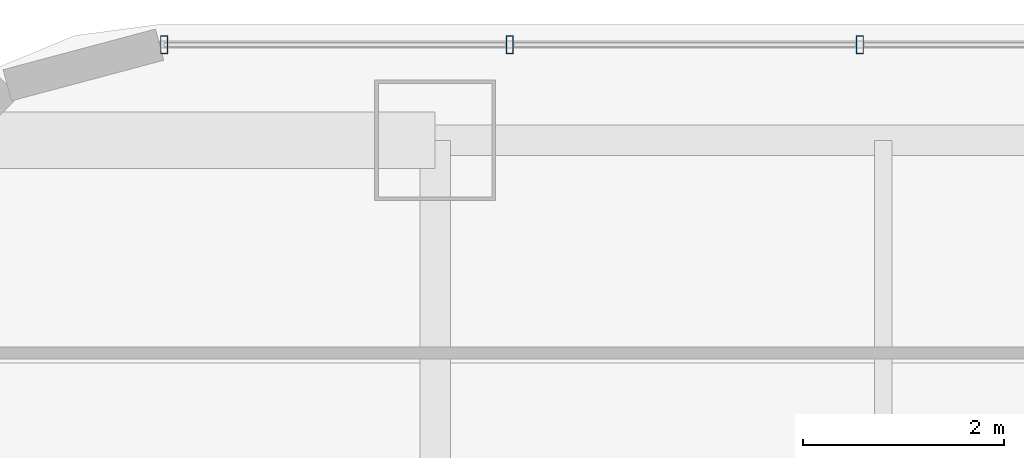
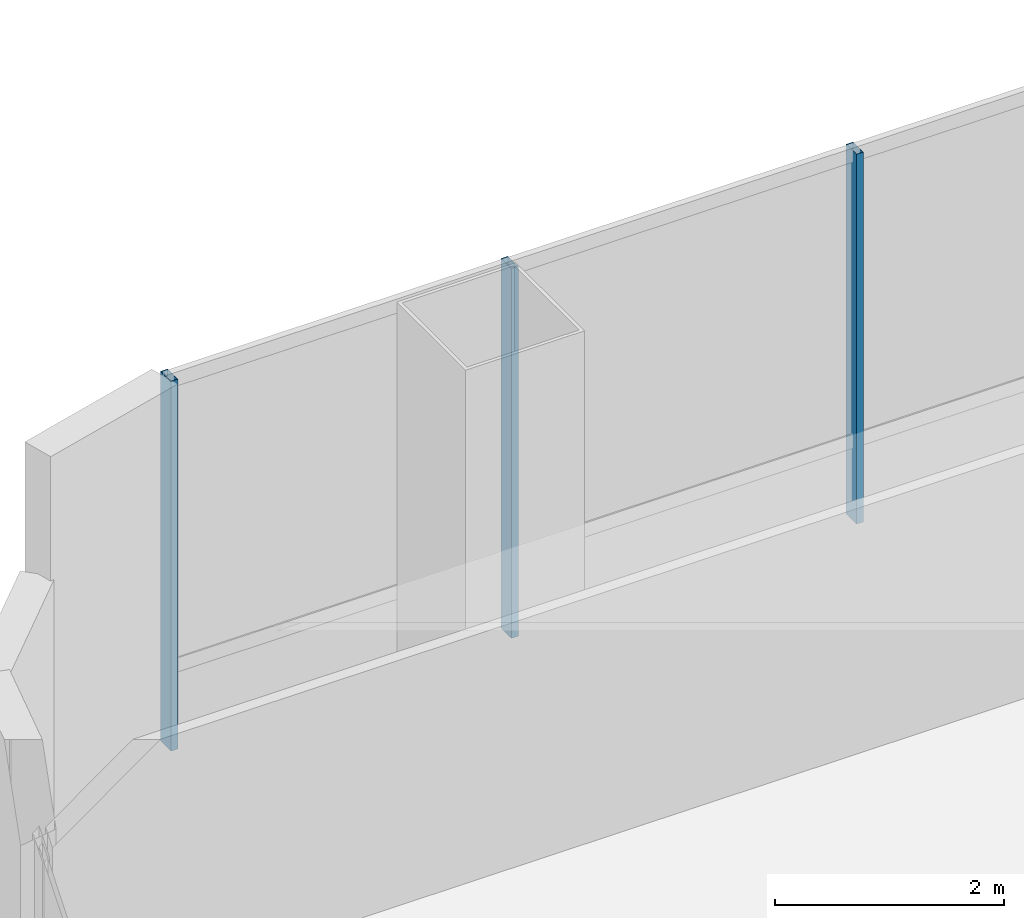
# One storey, part 26 of 46: 3 members, 1 element without a shape of its own.
"""IFC4 building model written with IfcOpenShell, lengths in metres."""

from ifc_helpers import new_model, si_unit, direction, frame, origin, origin_2d, place, context, subcontext, project, spatial, hollow_rectangle, extrude, material, material_profile, profile_set, type_object, element, aggregate, save


model = new_model("IFC4")

# Units and contexts
model_context = context("Model", 3, precision=1e-05, world=origin(), true_north=direction((0.0, 1.0)))
body_context = subcontext(model_context, "Body", "Model", "MODEL_VIEW")
ifc_project = project(units=[si_unit("LENGTHUNIT", "METRE"), si_unit("AREAUNIT", "SQUARE_METRE"), si_unit("VOLUMEUNIT", "CUBIC_METRE"), si_unit("PLANEANGLEUNIT", "RADIAN"), si_unit("MASSUNIT", "GRAM", prefix="KILO")], contexts=[model_context])

# Site, building, storey
site_placement = place(None, origin())
site = spatial("IfcSite", under=ifc_project, at=site_placement, CompositionType="ELEMENT")
building_placement = place(site_placement, origin())
building = spatial("IfcBuilding", under=site, at=building_placement, Name="Punatoya Terracotta Tower", CompositionType="ELEMENT")
storey_placement = place(building_placement, frame((0.0, 0.0, 330.0)))
storey = spatial("IfcBuildingStorey", under=building, at=storey_placement, Name="L78", CompositionType="ELEMENT", Elevation=330.0)

# Curtain wall, members
ifc_material_1 = material(Name="Aluminium 6063-T6 + Double Low-E Glass", Category="aluminium")
curtain_wall_type = type_object("IfcCurtainWallType", Name="CW-OBS", PredefinedType="NOTDEFINED", material=ifc_material_1)
curtain_wall_placement = place(storey_placement, origin())
curtain_wall = element("IfcCurtainWall", 1, at=curtain_wall_placement, inside=storey, type_object=curtain_wall_type, Name="L78 Curtain Wall CW-L78-N09-2", PredefinedType="NOTDEFINED")
ifc_material_2 = material(Name="Aluminium 6063-T6", Category="aluminium")
ifc_material_profile = material_profile(ifc_material_2, hollow_rectangle(XDim=0.070068359375, YDim=0.179931640625, WallThickness=0.00390625, at=origin_2d()))
ifc_profile_set = profile_set([ifc_material_profile], Name="Aluminium 6063-T6")
member_type = type_object("IfcMemberType", Name="CW-MUL-M3", PredefinedType="MULLION", material=ifc_profile_set)
member_1_placement = place(storey_placement, frame((-14.882080078125, 18.449951171875, 0.0), z_axis=(0.0, 0.0, 1.0), x_axis=(1.0, 0.0, 0.0)))
member_1 = element("IfcMember", 2, at=member_1_placement, type_object=member_type, Name="CW-L78-N09-2 Mullion 03", PredefinedType="MULLION", context=body_context, shape_type="SweptSolid", body=[
    extrude(hollow_rectangle(XDim=0.070068359375, YDim=0.179931640625, WallThickness=0.00390625, at=origin_2d()), origin(), (0.0, 0.0, 1.0), 3.93994140625),
])
member_2_placement = place(storey_placement, frame((-18.359619140625, 18.449951171875, 0.0), z_axis=(0.0, 0.0, 1.0), x_axis=(1.0, 0.0, 0.0)))
member_2 = element("IfcMember", 3, at=member_2_placement, type_object=member_type, Name="CW-L78-N09-2 Mullion 04", PredefinedType="MULLION", context=body_context, shape_type="SweptSolid", body=[
    extrude(hollow_rectangle(XDim=0.070068359375, YDim=0.179931640625, WallThickness=0.00390625, at=origin_2d()), origin(), (0.0, 0.0, 1.0), 3.93994140625),
])
member_3_placement = place(storey_placement, frame((-21.7919921875, 18.449951171875, 0.0), z_axis=(0.0, 0.0, 1.0), x_axis=(1.0, 0.0, 0.0)))
member_3 = element("IfcMember", 4, at=member_3_placement, type_object=member_type, Name="CW-L78-N09-2 Mullion 05", PredefinedType="MULLION", context=body_context, shape_type="SweptSolid", body=[
    extrude(hollow_rectangle(XDim=0.070068359375, YDim=0.179931640625, WallThickness=0.00390625, at=origin_2d()), origin(), (0.0, 0.0, 1.0), 3.93994140625),
])
aggregate(curtain_wall, [member_1, member_2, member_3])

save(model, "model.ifc")
